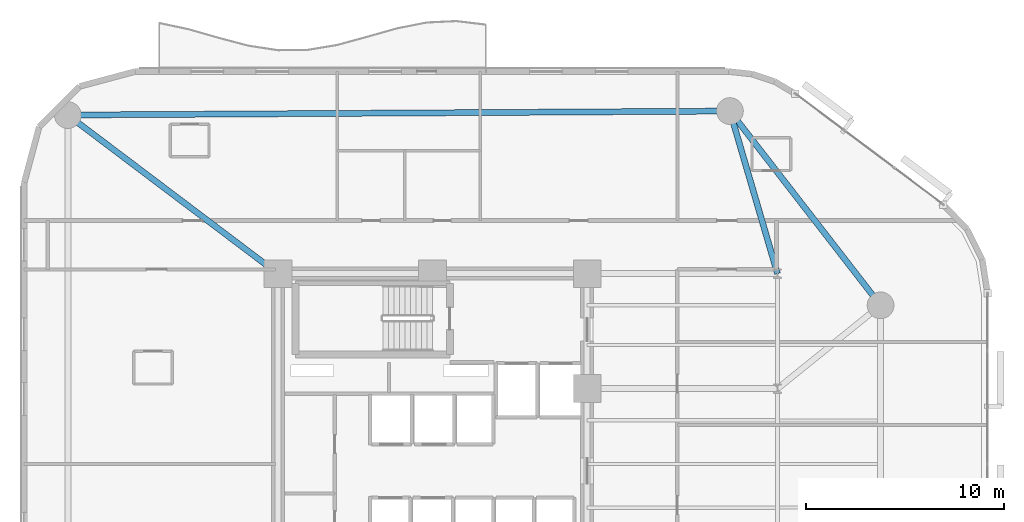
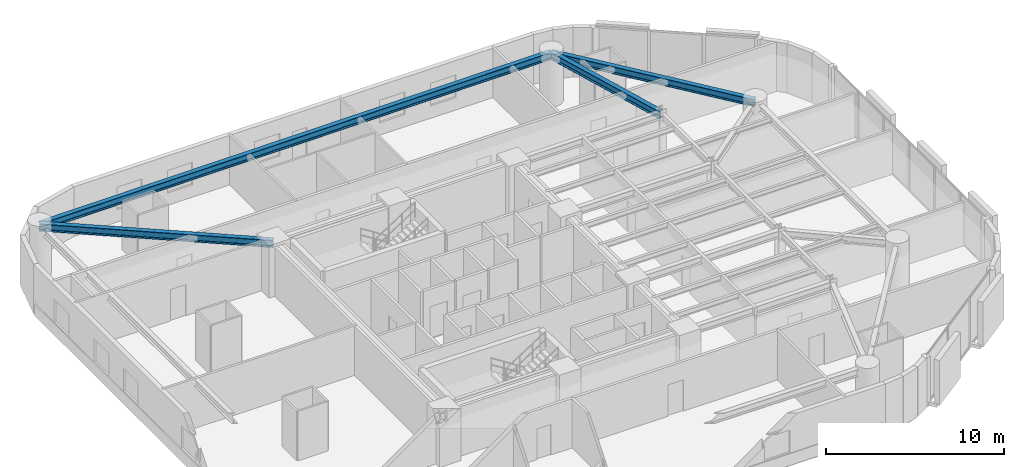
# One storey, part 7 of 15: 4 beams.
"""IFC4 building model written with IfcOpenShell, lengths in metres."""

import ifcopenshell
import ifcopenshell.guid

model = None  # the IFC model being written
_history = None  # IfcOwnerHistory: only IFC2X3 demands one
_inside = {}  # id of a spatial element -> (the spatial element, [elements in it])
_under = {}  # id of a project, library or spatial element -> (it, [spatial elements below it])
_declared = {}  # id of a project -> (the project, [libraries it declares])
_typed = {}  # id of a type object -> (the type object, [elements of that type])
_made_of = {}  # id of a material, layer set ... -> (it, [elements and type objects made of it])


def new_model(schema):
    """Start an empty IFC model of exactly this schema.

    Asked for "IFC4X3", IfcOpenShell would pick the latest addendum, in which some entities
    have other attributes; the version numbers below select the first issue.
    IFC2X3 requires an IfcOwnerHistory on every rooted entity: one is made here for all.
    """
    global model, _history
    if schema == "IFC4X3":
        model = ifcopenshell.file(schema_version=(4, 3, 0, 0))
    else:
        model = ifcopenshell.file(schema=schema)
    _inside.clear()
    _under.clear()
    _declared.clear()
    _typed.clear()
    _made_of.clear()
    _history = None
    if model.schema == "IFC2X3":
        org = make("IfcOrganization", Name="unknown")
        user = make(
            "IfcPersonAndOrganization",
            ThePerson=make("IfcPerson", FamilyName="unknown"),
            TheOrganization=org,
        )
        app = make(
            "IfcApplication",
            ApplicationDeveloper=org,
            Version="unknown",
            ApplicationFullName="unknown",
            ApplicationIdentifier="unknown",
        )
        _history = make(
            "IfcOwnerHistory",
            OwningUser=user,
            OwningApplication=app,
            ChangeAction="ADDED",
            CreationDate=0,
        )
    return model


def make(cls, **values):
    """One entity of the class cls with the attributes given. An attribute that is None is left unset."""
    return model.create_entity(
        cls, **{name: value for name, value in values.items() if value is not None}
    )


def rooted(cls, **values):
    """An entity with a GlobalId (a new one), such as an element, a storey or a relation."""
    return make(cls, GlobalId=ifcopenshell.guid.new(), OwnerHistory=_history, **values)


def si_unit(unit_type, name, prefix=None):
    """IfcSIUnit, for example si_unit("LENGTHUNIT", "METRE", prefix="MILLI")."""
    return make("IfcSIUnit", UnitType=unit_type, Prefix=prefix, Name=name)


def assignment(units):
    """IfcUnitAssignment: the units of a project."""
    return None if units is None else make("IfcUnitAssignment", Units=units)


def point(xyz):
    """IfcCartesianPoint."""
    return None if xyz is None else make("IfcCartesianPoint", Coordinates=xyz)


def direction(xyz):
    """IfcDirection."""
    return None if xyz is None else make("IfcDirection", DirectionRatios=xyz)


def frame(location, z_axis=None, x_axis=None):
    """IfcAxis2Placement3D, a coordinate frame: its origin and axes. An axis left out is left unset."""
    return make(
        "IfcAxis2Placement3D",
        Location=point(location),
        Axis=direction(z_axis),
        RefDirection=direction(x_axis),
    )


def frame_2d(location, x_axis=None):
    """IfcAxis2Placement2D, a coordinate frame in the plane: its origin and x axis."""
    return make(
        "IfcAxis2Placement2D", Location=point(location), RefDirection=direction(x_axis)
    )


def origin():
    """The frame at (0, 0, 0) with its axes left unset."""
    return frame((0.0, 0.0, 0.0))


def origin_2d():
    """The frame at (0, 0) in the plane with its x axis left unset."""
    return frame_2d((0.0, 0.0))


def place(relative_to, where):
    """IfcLocalPlacement: puts the frame where relative to a parent placement (None: the world)."""
    return make(
        "IfcLocalPlacement", PlacementRelTo=relative_to, RelativePlacement=where
    )


def context(
    kind, dimensions, precision=None, world=None, true_north=None, identifier=None
):
    """IfcGeometricRepresentationContext, for example the 3D "Model" context."""
    return make(
        "IfcGeometricRepresentationContext",
        ContextIdentifier=identifier,
        ContextType=kind,
        CoordinateSpaceDimension=dimensions,
        Precision=precision,
        WorldCoordinateSystem=world,
        TrueNorth=true_north,
    )


def subcontext(parent, identifier, kind, view, scale=None):
    """IfcGeometricRepresentationSubContext, for example "Body" below "Model"."""
    return make(
        "IfcGeometricRepresentationSubContext",
        ContextIdentifier=identifier,
        ContextType=kind,
        ParentContext=parent,
        TargetScale=scale,
        TargetView=view,
    )


def project(units=None, contexts=None):
    """IfcProject with its units and contexts."""
    return rooted(
        "IfcProject",
        Name="project",
        RepresentationContexts=contexts,
        UnitsInContext=assignment(units),
    )


def spatial(cls, under=None, at=None, **own):
    """A site, building, storey or space (cls), placed at a placement, below another one or the project."""
    s = rooted(cls, ObjectPlacement=at, **own)
    if under is not None:
        _under.setdefault(under.id(), (under, []))[1].append(s)
    return s


def profile(cls, at=None, kind="AREA", **sizes):
    """A parametric profile (cls). Its sizes go by their IFC names, for example OverallWidth=200.0."""
    return make(cls, ProfileType=kind, Position=at, **sizes)


def i_section(**sizes):
    """IfcIShapeProfileDef."""
    return profile("IfcIShapeProfileDef", **sizes)


def extrude(swept, where, along, depth):
    """IfcExtrudedAreaSolid: the profile swept, set in the frame where, extruded along a direction by depth."""
    return make(
        "IfcExtrudedAreaSolid",
        SweptArea=swept,
        Position=where,
        ExtrudedDirection=direction(along),
        Depth=depth,
    )


def shape(context_of_items, identifier, shape_type, items):
    """IfcShapeRepresentation: the items that make up one representation, for example the "Body"."""
    return make(
        "IfcShapeRepresentation",
        ContextOfItems=context_of_items,
        RepresentationIdentifier=identifier,
        RepresentationType=shape_type,
        Items=items,
    )


def material(Name=None, Category=None):
    """IfcMaterial."""
    return make("IfcMaterial", Name=Name, Category=Category)


def material_profile(
    of_material, cross_section, Name=None, Category=None, Priority=None
):
    """IfcMaterialProfile: a cross section and its material."""
    return make(
        "IfcMaterialProfile",
        Name=Name,
        Material=of_material,
        Profile=cross_section,
        Priority=Priority,
        Category=Category,
    )


def profile_set(profiles, Name=None, composite=None):
    """IfcMaterialProfileSet."""
    return make(
        "IfcMaterialProfileSet",
        Name=Name,
        MaterialProfiles=profiles,
        CompositeProfile=composite,
    )


def made_of(thing, what):
    """Note that an element or type object is made of a material, layer set ...; save() writes the relation."""
    if what is not None:
        _made_of.setdefault(what.id(), (what, []))[1].append(thing)
    return thing


def type_object(cls, material=None, **own):
    """A type object (cls), such as IfcWallType, which elements share."""
    return made_of(rooted(cls, **own), material)


def element(
    cls,
    number,
    at=None,
    inside=None,
    cuts=None,
    type_object=None,
    material=None,
    context=None,
    identifier="Body",
    shape_type=None,
    held_by="IfcProductDefinitionShape",
    body=None,
    shapes=None,
    **own,
):
    """One element of the class cls, such as IfcWall. Its Tag is "e" and its number.

    at: its placement. inside: the storey or other place that contains it. cuts: it is an
    opening in that element (IfcRelVoidsElement). A single representation is given by context,
    identifier, shape_type and body (its items); several are given by shapes. held_by: the class
    of the entity that holds the representations. save() writes the other relations.
    """
    e = rooted(cls, Tag="e%d" % number, ObjectPlacement=at, **own)
    if body is not None:
        shapes = [shape(context, identifier, shape_type, body)]
    if shapes is not None:
        e.Representation = make(held_by, Representations=shapes)
    if inside is not None:
        _inside.setdefault(inside.id(), (inside, []))[1].append(e)
    if cuts is not None:
        rooted(
            "IfcRelVoidsElement", RelatingBuildingElement=cuts, RelatedOpeningElement=e
        )
    if type_object is not None:
        _typed.setdefault(type_object.id(), (type_object, []))[1].append(e)
    return made_of(e, material)


def aggregate(whole, parts):
    """IfcRelAggregates: a whole, such as a stair, and the parts it consists of."""
    return rooted("IfcRelAggregates", RelatingObject=whole, RelatedObjects=parts)


def save(model, path):
    """Write the relations noted so far, then the file.

    IfcRelAggregates (storeys below a building ...), IfcRelContainedInSpatialStructure (elements
    in a storey), IfcRelDefinesByType, IfcRelAssociatesMaterial and IfcRelDeclares: one each for
    every whole, place, type object, material and project.
    """
    for whole, parts in _under.values():
        aggregate(whole, parts)
    for where, things in _inside.values():
        rooted(
            "IfcRelContainedInSpatialStructure",
            RelatedElements=things,
            RelatingStructure=where,
        )
    for kind, things in _typed.values():
        rooted("IfcRelDefinesByType", RelatedObjects=things, RelatingType=kind)
    for what, things in _made_of.values():
        rooted("IfcRelAssociatesMaterial", RelatedObjects=things, RelatingMaterial=what)
    for by, libraries in _declared.values():
        rooted("IfcRelDeclares", RelatingContext=by, RelatedDefinitions=libraries)
    model.write(path)


model = new_model("IFC4")

# Units and contexts
model_context = context("Model", 3, precision=1e-05, world=origin(), true_north=direction((0.0, 1.0)))
body_context = subcontext(model_context, "Body", "Model", "MODEL_VIEW")
ifc_project = project(units=[si_unit("LENGTHUNIT", "METRE"), si_unit("AREAUNIT", "SQUARE_METRE"), si_unit("VOLUMEUNIT", "CUBIC_METRE"), si_unit("PLANEANGLEUNIT", "RADIAN"), si_unit("MASSUNIT", "GRAM", prefix="KILO")], contexts=[model_context])

# Site, building, storey
site_placement = place(None, origin())
site = spatial("IfcSite", under=ifc_project, at=site_placement, CompositionType="ELEMENT")
building_placement = place(site_placement, origin())
building = spatial("IfcBuilding", under=site, at=building_placement, Name="An Khanh Terracotta Commons", CompositionType="ELEMENT")
storey_placement = place(building_placement, frame((0.0, 0.0, 122.300048828125)))
storey = spatial("IfcBuildingStorey", under=building, at=storey_placement, Name="L32", CompositionType="ELEMENT", Elevation=122.300048828125)

# Beams
ifc_material = material(Name="Steel S355J2", Category="steel")
ifc_material_profile = material_profile(ifc_material, i_section(OverallWidth=0.300048828125, OverallDepth=0.5, WebThickness=0.014404296875, FlangeThickness=0.028076171875, FilletRadius=0.027099609375, at=origin_2d()), Name="HEB500")
ifc_profile_set = profile_set([ifc_material_profile], Name="Steel S355J2")
beam_type = type_object("IfcBeamType", Name="BM-HEB500", PredefinedType="BEAM", material=ifc_profile_set)
beam_1_placement = place(storey_placement, frame((52.0, 32.0, 3.14990234375), z_axis=(-0.612826529795, 0.790217466511, 0.0), x_axis=(-0.790217466511, -0.612826529795, 0.0)))
element("IfcBeam", 1, at=beam_1_placement, inside=storey, type_object=beam_type, Name="L32 Perimeter Ring Spandrel 4", PredefinedType="BEAM", context=body_context, shape_type="SweptSolid", body=[
    extrude(i_section(OverallWidth=0.300048828125, OverallDepth=0.5, WebThickness=0.014404296875, FlangeThickness=0.028076171875, FilletRadius=0.027099609375, at=origin_2d()), origin(), (0.0, 0.0, 1.0), 12.401611328125),
])
beam_2_placement = place(storey_placement, frame((44.39990234375, 41.800048828125, 3.14990234375), z_axis=(-0.999982080914, -0.005986472262, 0.0), x_axis=(0.005986472262, -0.999982080914, 0.0)))
element("IfcBeam", 2, at=beam_2_placement, inside=storey, type_object=beam_type, Name="L32 Perimeter Ring Spandrel 5", PredefinedType="BEAM", context=body_context, shape_type="SweptSolid", body=[
    extrude(i_section(OverallWidth=0.300048828125, OverallDepth=0.5, WebThickness=0.014404296875, FlangeThickness=0.028076171875, FilletRadius=0.027099609375, at=origin_2d()), origin(), (0.0, 0.0, 1.0), 33.400390625),
])
beam_3_placement = place(storey_placement, frame((44.39990234375, 41.800048828125, 3.14990234375), z_axis=(0.280916085823, -0.959732333896, 0.0), x_axis=(0.959732333896, 0.280916085823, 0.0)))
element("IfcBeam", 3, at=beam_3_placement, inside=storey, type_object=beam_type, Name="L32 Mega-Column Tie Girder 5", PredefinedType="BEAM", context=body_context, shape_type="SweptSolid", body=[
    extrude(i_section(OverallWidth=0.300048828125, OverallDepth=0.5, WebThickness=0.014404296875, FlangeThickness=0.028076171875, FilletRadius=0.027099609375, at=origin_2d()), origin(), (0.0, 0.0, 1.0), 8.5439453125),
])
beam_4_placement = place(storey_placement, frame((11.0, 41.60009765625, 3.14990234375), z_axis=(0.798191818888, -0.602403370061, 0.0), x_axis=(0.602403370061, 0.798191818888, 0.0)))
element("IfcBeam", 4, at=beam_4_placement, inside=storey, type_object=beam_type, Name="L32 Mega-Column Tie Girder 6", PredefinedType="BEAM", context=body_context, shape_type="SweptSolid", body=[
    extrude(i_section(OverallWidth=0.300048828125, OverallDepth=0.5, WebThickness=0.014404296875, FlangeThickness=0.028076171875, FilletRadius=0.027099609375, at=origin_2d()), origin(), (0.0, 0.0, 1.0), 13.280029296875),
])

save(model, "model.ifc")
